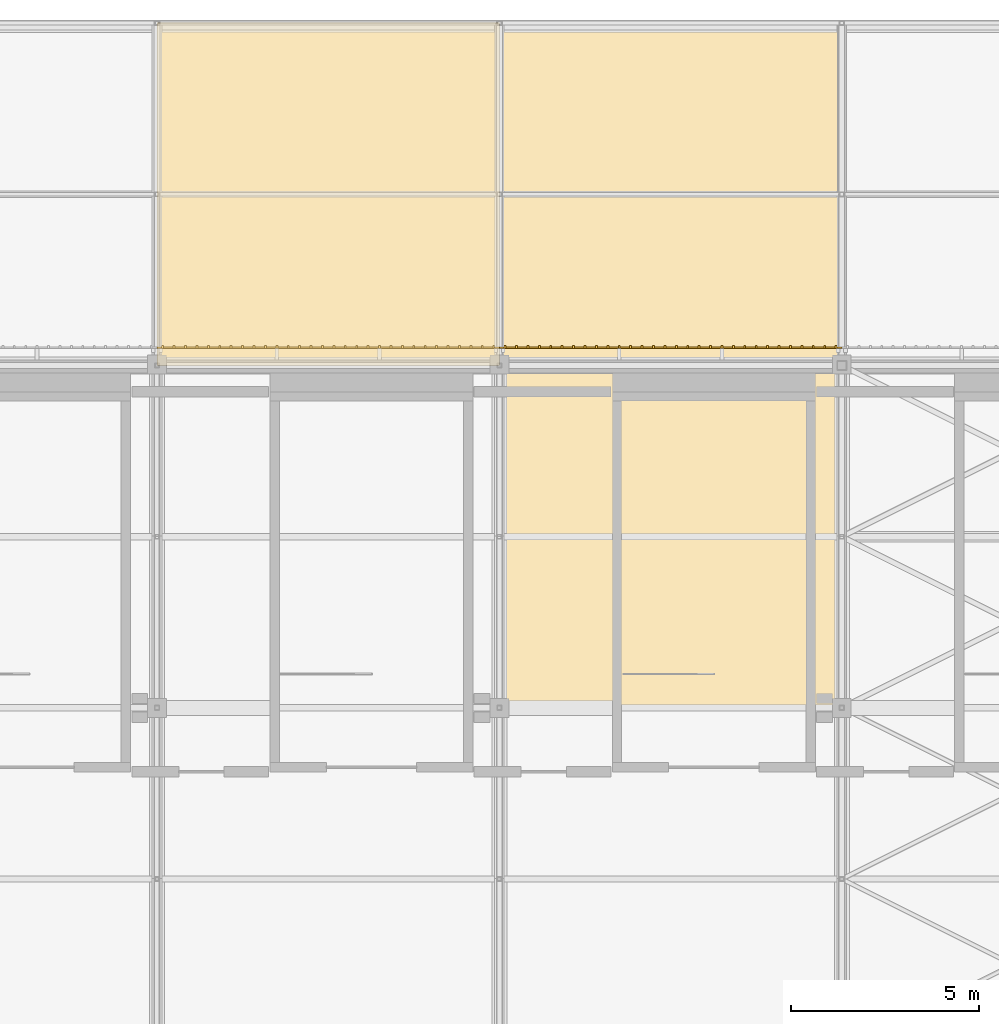
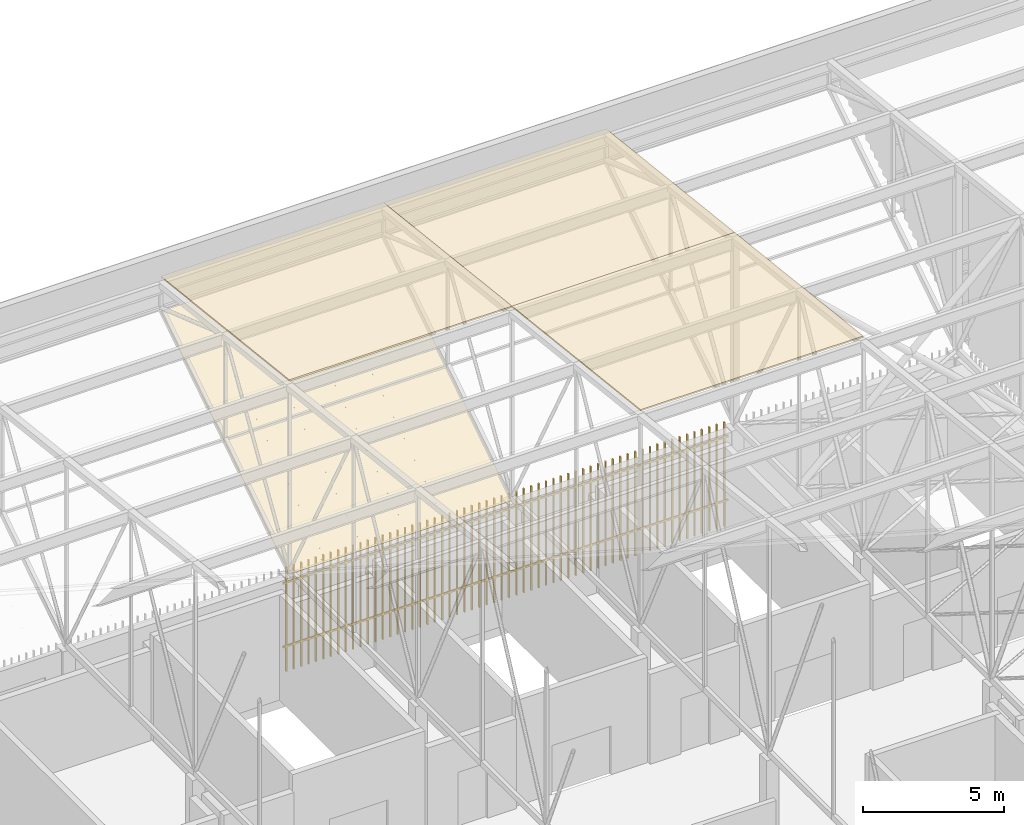
# One storey, part 497 of 500: 4 coverings, 2 shading devices.
"""IFC4 building model written with IfcOpenShell, lengths in metres."""

from ifc_helpers import new_model, si_unit, direction, frame, origin, origin_2d, place, context, subcontext, project, spatial, polyline, rectangle, outline, extrude, material, layer, layer_set, type_object, element, save


model = new_model("IFC4")

# Units and contexts
model_context = context("Model", 3, precision=1e-05, world=origin(), true_north=direction((0.0, 1.0)))
body_context = subcontext(model_context, "Body", "Model", "MODEL_VIEW")
ifc_project = project(units=[si_unit("LENGTHUNIT", "METRE"), si_unit("AREAUNIT", "SQUARE_METRE"), si_unit("VOLUMEUNIT", "CUBIC_METRE"), si_unit("PLANEANGLEUNIT", "RADIAN"), si_unit("MASSUNIT", "GRAM", prefix="KILO")], contexts=[model_context])

# Site, building, storey
site_placement = place(None, origin())
site = spatial("IfcSite", under=ifc_project, at=site_placement, CompositionType="ELEMENT")
building_placement = place(site_placement, origin())
building = spatial("IfcBuilding", under=site, at=building_placement, Name="Shirokan Park Arena", CompositionType="ELEMENT")
storey_placement = place(building_placement, frame((0.0, 0.0, 29.1201171875)))
storey = spatial("IfcBuildingStorey", under=building, at=storey_placement, Name="L06", CompositionType="ELEMENT", Elevation=29.1201171875)

# Coverings
ifc_material_1 = material(Name="Bituminous roofing membrane")
ifc_layer_1 = layer(ifc_material_1, 0.010009765625, Name="Bituminous roofing membrane")
ifc_material_2 = material(Name="Mineral wool insulation")
ifc_layer_2 = layer(ifc_material_2, 0.050048828125, Name="Mineral wool insulation")
ifc_layer_set_1 = layer_set([ifc_layer_1, ifc_layer_2], Name="Bituminous roofing membrane + Mineral wool insulation")
covering_type_1 = type_object("IfcCoveringType", Name="Roofing membrane 60", PredefinedType="ROOFING", material=ifc_layer_set_1)
covering_1_placement = place(storey_placement, frame((118.300048828125, 109.199951171875, 12.9306640625), z_axis=(0.0, 0.113549598152, 0.993532328996), x_axis=(1.0, 0.0, 0.0)))
element("IfcCovering", 1, at=covering_1_placement, inside=storey, type_object=covering_type_1, Name="Roofing", PredefinedType="ROOFING", context=body_context, shape_type="SweptSolid", body=[
    extrude(outline(polyline([(0.0, 0.0), (9.099853515625, 0.0), (9.099853515625, 9.15933723611117), (0.0, 9.15933723611117), (0.0, 0.0)])), origin(), (0.0, 0.0, -1.0), 0.06005859375),
])
covering_2_placement = place(storey_placement, frame((127.39990234375, 100.10009765625, 13.970703125), z_axis=(0.0, 0.113552605302, 0.993531985308), x_axis=(1.0, 0.0, 0.0)))
element("IfcCovering", 2, at=covering_2_placement, inside=storey, type_object=covering_type_1, Name="Roofing", PredefinedType="ROOFING", context=body_context, shape_type="SweptSolid", body=[
    extrude(outline(polyline([(0.0, 0.0), (9.10009765625, 0.0), (9.10009765625, 9.159094674549367), (0.0, 9.159094674549367), (0.0, 0.0)])), origin(), (0.0, 0.0, -1.0), 0.06005859375),
])
covering_3_placement = place(storey_placement, frame((127.39990234375, 109.199951171875, 12.9306640625), z_axis=(0.0, 0.113549598152, 0.993532328996), x_axis=(1.0, 0.0, 0.0)))
element("IfcCovering", 3, at=covering_3_placement, inside=storey, type_object=covering_type_1, Name="Roofing", PredefinedType="ROOFING", context=body_context, shape_type="SweptSolid", body=[
    extrude(outline(polyline([(0.0, 0.0), (9.10009765625, 0.0), (9.10009765625, 9.15933723611117), (0.0, 9.15933723611117), (0.0, 0.0)])), origin(), (0.0, 0.0, -1.0), 0.06005859375),
])
ifc_material_3 = material(Name="Timber soffit boards (cedar)", Category="wood")
ifc_layer_3 = layer(ifc_material_3, 0.030029296875)
ifc_layer_set_2 = layer_set([ifc_layer_3], Name="Timber soffit boards (cedar) 30 mm")
covering_type_2 = type_object("IfcCoveringType", Name="Timber boarded soffit panel", PredefinedType="CLADDING", material=ifc_layer_set_2)
covering_4_placement = place(storey_placement, origin())
element("IfcCovering", 4, at=covering_4_placement, inside=storey, type_object=covering_type_2, Name="Eave soffit north bay 14", PredefinedType="CLADDING", context=body_context, shape_type="SweptSolid", body=[
    extrude(outline(polyline([(0.0, 0.0), (0.14269332184793307, 0.0), (0.14269332184793307, -9.100000000000009), (0.0, -9.100000000000009), (0.0, 0.0)])), frame((127.39990234375, 109.320068359375, 4.60302734375), z_axis=(0.0, -0.541090493936, 0.840964373426), x_axis=(0.0, -0.840964373426, -0.541090493936)), (0.0, 0.0, -1.0), 0.030029296875),
    extrude(outline(polyline([(0.0, 0.0), (0.1426933218479331, 0.0), (0.1426933218479331, -9.10000000000001), (0.0, -9.10000000000001), (0.0, 0.0)])), frame((118.300048828125, 118.179931640625, 10.3037109375), z_axis=(0.0, -0.541090493936, 0.840964373426), x_axis=(0.0, 0.840964373426, 0.541090493936)), (0.0, 0.0, -1.0), 0.030029296875),
    extrude(outline(polyline([(0.0, 0.0), (0.12000000000000455, 0.0), (0.12000000000000455, -10.535473996759716), (0.0, -10.535473996759716), (0.0, 0.0)])), frame((127.39990234375, 109.320068359375, 4.60302734375), z_axis=(0.0, -0.541084340558, 0.84096833258), x_axis=(-1.0, 0.0, 0.0)), (0.0, 0.0, -1.0), 0.030029296875),
    extrude(outline(polyline([(0.0, 0.0), (0.12000000000000455, 0.0), (0.12000000000000455, -10.535473996759716), (0.0, -10.535473996759716), (0.0, 0.0)])), frame((118.300048828125, 118.179931640625, 10.3037109375), z_axis=(0.0, -0.541084340558, 0.84096833258), x_axis=(1.0, 0.0, 0.0)), (0.0, 0.0, -1.0), 0.030029296875),
    extrude(outline(polyline([(0.0, 0.0), (10.53547399675972, 0.0), (10.53547399675972, -0.183329999999998), (0.0, -0.183329999999998), (0.0, 0.0)])), frame((118.603271484375, 118.179931640625, 10.3037109375), z_axis=(0.0, -0.541084340558, 0.84096833258), x_axis=(0.0, -0.84096833258, -0.541084340558)), (0.0, 0.0, -1.0), 0.030029296875),
    extrude(outline(polyline([(0.0, 0.0), (10.535473996759718, 0.0), (10.535473996759718, -0.3033400000000057), (0.0, -0.3033400000000057), (0.0, 0.0)])), frame((118.90673828125, 118.179931640625, 10.3037109375), z_axis=(0.0, -0.541084340558, 0.84096833258), x_axis=(0.0, -0.84096833258, -0.541084340558)), (0.0, 0.0, -1.0), 0.030029296875),
    extrude(outline(polyline([(0.0, 0.0), (10.535473996759718, 0.0), (10.535473996759718, -0.30332999999998833), (0.0, -0.30332999999998833), (0.0, 0.0)])), frame((119.2099609375, 118.179931640625, 10.3037109375), z_axis=(0.0, -0.541084340558, 0.84096833258), x_axis=(0.0, -0.84096833258, -0.541084340558)), (0.0, 0.0, -1.0), 0.030029296875),
    extrude(outline(polyline([(0.0, 0.0), (10.535473996759718, 0.0), (10.535473996759718, -0.30333000000000254), (0.0, -0.30333000000000254), (0.0, 0.0)])), frame((119.513427734375, 118.179931640625, 10.3037109375), z_axis=(0.0, -0.541084340558, 0.84096833258), x_axis=(0.0, -0.84096833258, -0.541084340558)), (0.0, 0.0, -1.0), 0.030029296875),
    extrude(outline(polyline([(0.0, 0.0), (10.535473996759718, 0.0), (10.535473996759718, -0.3033400000000057), (0.0, -0.3033400000000057), (0.0, 0.0)])), frame((119.816650390625, 118.179931640625, 10.3037109375), z_axis=(0.0, -0.541084340558, 0.84096833258), x_axis=(0.0, -0.84096833258, -0.541084340558)), (0.0, 0.0, -1.0), 0.030029296875),
    extrude(outline(polyline([(0.0, 0.0), (10.535473996759718, 0.0), (10.535473996759718, -0.30333000000000254), (0.0, -0.30333000000000254), (0.0, 0.0)])), frame((120.1201171875, 118.179931640625, 10.3037109375), z_axis=(0.0, -0.541084340558, 0.84096833258), x_axis=(0.0, -0.84096833258, -0.541084340558)), (0.0, 0.0, -1.0), 0.030029296875),
    extrude(outline(polyline([(0.0, 0.0), (10.535473996759718, 0.0), (10.535473996759718, -0.30333000000000254), (0.0, -0.30333000000000254), (0.0, 0.0)])), frame((120.42333984375, 118.179931640625, 10.3037109375), z_axis=(0.0, -0.541084340558, 0.84096833258), x_axis=(0.0, -0.84096833258, -0.541084340558)), (0.0, 0.0, -1.0), 0.030029296875),
    extrude(outline(polyline([(0.0, 0.0), (10.53547399675972, 0.0), (10.53547399675972, -0.3033399999999915), (0.0, -0.3033399999999915), (0.0, 0.0)])), frame((120.7265625, 118.179931640625, 10.3037109375), z_axis=(0.0, -0.541084340558, 0.84096833258), x_axis=(0.0, -0.84096833258, -0.541084340558)), (0.0, 0.0, -1.0), 0.030029296875),
    extrude(outline(polyline([(0.0, 0.0), (10.535473996759718, 0.0), (10.535473996759718, -0.30333000000000254), (0.0, -0.30333000000000254), (0.0, 0.0)])), frame((121.030029296875, 118.179931640625, 10.3037109375), z_axis=(0.0, -0.541084340558, 0.84096833258), x_axis=(0.0, -0.84096833258, -0.541084340558)), (0.0, 0.0, -1.0), 0.030029296875),
    extrude(outline(polyline([(0.0, 0.0), (10.535473996759718, 0.0), (10.535473996759718, -0.30333000000000254), (0.0, -0.30333000000000254), (0.0, 0.0)])), frame((121.333251953125, 118.179931640625, 10.3037109375), z_axis=(0.0, -0.541084340558, 0.84096833258), x_axis=(0.0, -0.84096833258, -0.541084340558)), (0.0, 0.0, -1.0), 0.030029296875),
    extrude(outline(polyline([(0.0, 0.0), (10.53547399675972, 0.0), (10.53547399675972, -0.30333999999999156), (0.0, -0.30333999999999156), (0.0, 0.0)])), frame((121.63671875, 118.179931640625, 10.3037109375), z_axis=(0.0, -0.541084340558, 0.84096833258), x_axis=(0.0, -0.84096833258, -0.541084340558)), (0.0, 0.0, -1.0), 0.030029296875),
    extrude(outline(polyline([(0.0, 0.0), (10.535473996759718, 0.0), (10.535473996759718, -0.30333000000000254), (0.0, -0.30333000000000254), (0.0, 0.0)])), frame((121.93994140625, 118.179931640625, 10.3037109375), z_axis=(0.0, -0.541084340558, 0.84096833258), x_axis=(0.0, -0.84096833258, -0.541084340558)), (0.0, 0.0, -1.0), 0.030029296875),
    extrude(outline(polyline([(0.0, 0.0), (10.535473996759718, 0.0), (10.535473996759718, -0.30333000000000254), (0.0, -0.30333000000000254), (0.0, 0.0)])), frame((122.243408203125, 118.179931640625, 10.3037109375), z_axis=(0.0, -0.541084340558, 0.84096833258), x_axis=(0.0, -0.84096833258, -0.541084340558)), (0.0, 0.0, -1.0), 0.030029296875),
    extrude(outline(polyline([(0.0, 0.0), (10.535473996759718, 0.0), (10.535473996759718, -0.3033400000000057), (0.0, -0.3033400000000057), (0.0, 0.0)])), frame((122.546630859375, 118.179931640625, 10.3037109375), z_axis=(0.0, -0.541084340558, 0.84096833258), x_axis=(0.0, -0.84096833258, -0.541084340558)), (0.0, 0.0, -1.0), 0.030029296875),
    extrude(outline(polyline([(0.0, 0.0), (10.535473996759718, 0.0), (10.535473996759718, -0.30332999999998833), (0.0, -0.30332999999998833), (0.0, 0.0)])), frame((122.85009765625, 118.179931640625, 10.3037109375), z_axis=(0.0, -0.541084340558, 0.84096833258), x_axis=(0.0, -0.84096833258, -0.541084340558)), (0.0, 0.0, -1.0), 0.030029296875),
    extrude(outline(polyline([(0.0, 0.0), (10.535473996759718, 0.0), (10.535473996759718, -0.30333000000000254), (0.0, -0.30333000000000254), (0.0, 0.0)])), frame((123.1533203125, 118.179931640625, 10.3037109375), z_axis=(0.0, -0.541084340558, 0.84096833258), x_axis=(0.0, -0.84096833258, -0.541084340558)), (0.0, 0.0, -1.0), 0.030029296875),
    extrude(outline(polyline([(0.0, 0.0), (10.535473996759718, 0.0), (10.535473996759718, -0.3033400000000057), (0.0, -0.3033400000000057), (0.0, 0.0)])), frame((123.456787109375, 118.179931640625, 10.3037109375), z_axis=(0.0, -0.541084340558, 0.84096833258), x_axis=(0.0, -0.84096833258, -0.541084340558)), (0.0, 0.0, -1.0), 0.030029296875),
    extrude(outline(polyline([(0.0, 0.0), (10.535473996759718, 0.0), (10.535473996759718, -0.30333000000000254), (0.0, -0.30333000000000254), (0.0, 0.0)])), frame((123.760009765625, 118.179931640625, 10.3037109375), z_axis=(0.0, -0.541084340558, 0.84096833258), x_axis=(0.0, -0.84096833258, -0.541084340558)), (0.0, 0.0, -1.0), 0.030029296875),
    extrude(outline(polyline([(0.0, 0.0), (10.535473996759718, 0.0), (10.535473996759718, -0.30332999999998833), (0.0, -0.30332999999998833), (0.0, 0.0)])), frame((124.063232421875, 118.179931640625, 10.3037109375), z_axis=(0.0, -0.541084340558, 0.84096833258), x_axis=(0.0, -0.84096833258, -0.541084340558)), (0.0, 0.0, -1.0), 0.030029296875),
    extrude(outline(polyline([(0.0, 0.0), (10.535473996759718, 0.0), (10.535473996759718, -0.3033400000000057), (0.0, -0.3033400000000057), (0.0, 0.0)])), frame((124.36669921875, 118.179931640625, 10.3037109375), z_axis=(0.0, -0.541084340558, 0.84096833258), x_axis=(0.0, -0.84096833258, -0.541084340558)), (0.0, 0.0, -1.0), 0.030029296875),
    extrude(outline(polyline([(0.0, 0.0), (10.535473996759718, 0.0), (10.535473996759718, -0.30333000000000254), (0.0, -0.30333000000000254), (0.0, 0.0)])), frame((124.669921875, 118.179931640625, 10.3037109375), z_axis=(0.0, -0.541084340558, 0.84096833258), x_axis=(0.0, -0.84096833258, -0.541084340558)), (0.0, 0.0, -1.0), 0.030029296875),
    extrude(outline(polyline([(0.0, 0.0), (10.535473996759718, 0.0), (10.535473996759718, -0.30333000000000254), (0.0, -0.30333000000000254), (0.0, 0.0)])), frame((124.973388671875, 118.179931640625, 10.3037109375), z_axis=(0.0, -0.541084340558, 0.84096833258), x_axis=(0.0, -0.84096833258, -0.541084340558)), (0.0, 0.0, -1.0), 0.030029296875),
    extrude(outline(polyline([(0.0, 0.0), (10.53547399675972, 0.0), (10.53547399675972, -0.30333999999999156), (0.0, -0.30333999999999156), (0.0, 0.0)])), frame((125.276611328125, 118.179931640625, 10.3037109375), z_axis=(0.0, -0.541084340558, 0.84096833258), x_axis=(0.0, -0.84096833258, -0.541084340558)), (0.0, 0.0, -1.0), 0.030029296875),
    extrude(outline(polyline([(0.0, 0.0), (10.535473996759718, 0.0), (10.535473996759718, -0.30333000000000254), (0.0, -0.30333000000000254), (0.0, 0.0)])), frame((125.580078125, 118.179931640625, 10.3037109375), z_axis=(0.0, -0.541084340558, 0.84096833258), x_axis=(0.0, -0.84096833258, -0.541084340558)), (0.0, 0.0, -1.0), 0.030029296875),
    extrude(outline(polyline([(0.0, 0.0), (10.535473996759718, 0.0), (10.535473996759718, -0.30333000000000254), (0.0, -0.30333000000000254), (0.0, 0.0)])), frame((125.88330078125, 118.179931640625, 10.3037109375), z_axis=(0.0, -0.541084340558, 0.84096833258), x_axis=(0.0, -0.84096833258, -0.541084340558)), (0.0, 0.0, -1.0), 0.030029296875),
    extrude(outline(polyline([(0.0, 0.0), (10.535473996759718, 0.0), (10.535473996759718, -0.3033400000000057), (0.0, -0.3033400000000057), (0.0, 0.0)])), frame((126.186767578125, 118.179931640625, 10.3037109375), z_axis=(0.0, -0.541084340558, 0.84096833258), x_axis=(0.0, -0.84096833258, -0.541084340558)), (0.0, 0.0, -1.0), 0.030029296875),
    extrude(outline(polyline([(0.0, 0.0), (10.535473996759718, 0.0), (10.535473996759718, -0.30332999999998833), (0.0, -0.30332999999998833), (0.0, 0.0)])), frame((126.489990234375, 118.179931640625, 10.3037109375), z_axis=(0.0, -0.541084340558, 0.84096833258), x_axis=(0.0, -0.84096833258, -0.541084340558)), (0.0, 0.0, -1.0), 0.030029296875),
    extrude(outline(polyline([(0.0, 0.0), (10.535473996759718, 0.0), (10.535473996759718, -0.30333000000000254), (0.0, -0.30333000000000254), (0.0, 0.0)])), frame((126.793212890625, 118.179931640625, 10.3037109375), z_axis=(0.0, -0.541084340558, 0.84096833258), x_axis=(0.0, -0.84096833258, -0.541084340558)), (0.0, 0.0, -1.0), 0.030029296875),
    extrude(outline(polyline([(0.0, 0.0), (10.535473996759718, 0.0), (10.535473996759718, -0.3033400000000057), (0.0, -0.3033400000000057), (0.0, 0.0)])), frame((127.0966796875, 118.179931640625, 10.3037109375), z_axis=(0.0, -0.541084340558, 0.84096833258), x_axis=(0.0, -0.84096833258, -0.541084340558)), (0.0, 0.0, -1.0), 0.030029296875),
    extrude(outline(polyline([(0.0, 0.0), (10.53547399675972, 0.0), (10.53547399675972, -0.183329999999998), (0.0, -0.183329999999998), (0.0, 0.0)])), frame((127.280029296875, 118.179931640625, 10.3037109375), z_axis=(0.0, -0.541084340558, 0.84096833258), x_axis=(0.0, -0.84096833258, -0.541084340558)), (0.0, 0.0, -1.0), 0.030029296875),
])

# Shading devices
ifc_material_4 = material(Name="Timber louvre veil (cedar)", Category="wood")
shading_device_type = type_object("IfcShadingDeviceType", Name="Timber louvre veil panel", PredefinedType="JALOUSIE", material=ifc_material_4)
shading_device_1_placement = place(storey_placement, origin())
element("IfcShadingDevice", 5, at=shading_device_1_placement, inside=storey, type_object=shading_device_type, Name="Timber louvre veil north bay 2 L06", PredefinedType="JALOUSIE", context=body_context, shape_type="SweptSolid", body=[
    extrude(rectangle(XDim=0.050048828125, YDim=0.080078125, at=origin_2d()), frame((136.348388671875, 109.68505859375, 0.0), z_axis=(0.0, 0.0, 1.0), x_axis=(-1.0, 0.0, 0.0)), (0.0, 0.0, 1.0), 4.5),
    extrude(rectangle(XDim=0.050048828125, YDim=0.080078125, at=origin_2d()), frame((136.044921875, 109.68505859375, 0.0), z_axis=(0.0, 0.0, 1.0), x_axis=(-1.0, 0.0, 0.0)), (0.0, 0.0, 1.0), 4.5),
    extrude(rectangle(XDim=0.050048828125, YDim=0.080078125, at=origin_2d()), frame((135.74169921875, 109.68505859375, 0.0), z_axis=(0.0, 0.0, 1.0), x_axis=(-1.0, 0.0, 0.0)), (0.0, 0.0, 1.0), 4.5),
    extrude(rectangle(XDim=0.050048828125, YDim=0.080078125, at=origin_2d()), frame((135.438232421875, 109.68505859375, 0.0), z_axis=(0.0, 0.0, 1.0), x_axis=(-1.0, 0.0, 0.0)), (0.0, 0.0, 1.0), 4.5),
    extrude(rectangle(XDim=0.050048828125, YDim=0.080078125, at=origin_2d()), frame((135.135009765625, 109.68505859375, 0.0), z_axis=(0.0, 0.0, 1.0), x_axis=(-1.0, 0.0, 0.0)), (0.0, 0.0, 1.0), 4.5),
    extrude(rectangle(XDim=0.050048828125, YDim=0.080078125, at=origin_2d()), frame((134.831787109375, 109.68505859375, 0.0), z_axis=(0.0, 0.0, 1.0), x_axis=(-1.0, 0.0, 0.0)), (0.0, 0.0, 1.0), 4.5),
    extrude(rectangle(XDim=0.050048828125, YDim=0.080078125, at=origin_2d()), frame((134.5283203125, 109.68505859375, 0.0), z_axis=(0.0, 0.0, 1.0), x_axis=(-1.0, 0.0, 0.0)), (0.0, 0.0, 1.0), 4.5),
    extrude(rectangle(XDim=0.050048828125, YDim=0.080078125, at=origin_2d()), frame((134.22509765625, 109.68505859375, 0.0), z_axis=(0.0, 0.0, 1.0), x_axis=(-1.0, 0.0, 0.0)), (0.0, 0.0, 1.0), 4.5),
    extrude(rectangle(XDim=0.050048828125, YDim=0.080078125, at=origin_2d()), frame((133.921630859375, 109.68505859375, 0.0), z_axis=(0.0, 0.0, 1.0), x_axis=(-1.0, 0.0, 0.0)), (0.0, 0.0, 1.0), 4.5),
    extrude(rectangle(XDim=0.050048828125, YDim=0.080078125, at=origin_2d()), frame((133.618408203125, 109.68505859375, 0.0), z_axis=(0.0, 0.0, 1.0), x_axis=(-1.0, 0.0, 0.0)), (0.0, 0.0, 1.0), 4.5),
    extrude(rectangle(XDim=0.050048828125, YDim=0.080078125, at=origin_2d()), frame((133.31494140625, 109.68505859375, 0.0), z_axis=(0.0, 0.0, 1.0), x_axis=(-1.0, 0.0, 0.0)), (0.0, 0.0, 1.0), 4.5),
    extrude(rectangle(XDim=0.050048828125, YDim=0.080078125, at=origin_2d()), frame((133.01171875, 109.68505859375, 0.0), z_axis=(0.0, 0.0, 1.0), x_axis=(-1.0, 0.0, 0.0)), (0.0, 0.0, 1.0), 4.5),
    extrude(rectangle(XDim=0.050048828125, YDim=0.080078125, at=origin_2d()), frame((132.708251953125, 109.68505859375, 0.0), z_axis=(0.0, 0.0, 1.0), x_axis=(-1.0, 0.0, 0.0)), (0.0, 0.0, 1.0), 4.5),
    extrude(rectangle(XDim=0.050048828125, YDim=0.080078125, at=origin_2d()), frame((132.405029296875, 109.68505859375, 0.0), z_axis=(0.0, 0.0, 1.0), x_axis=(-1.0, 0.0, 0.0)), (0.0, 0.0, 1.0), 4.5),
    extrude(rectangle(XDim=0.050048828125, YDim=0.080078125, at=origin_2d()), frame((132.1015625, 109.68505859375, 0.0), z_axis=(0.0, 0.0, 1.0), x_axis=(-1.0, 0.0, 0.0)), (0.0, 0.0, 1.0), 4.5),
    extrude(rectangle(XDim=0.050048828125, YDim=0.080078125, at=origin_2d()), frame((131.79833984375, 109.68505859375, 0.0), z_axis=(0.0, 0.0, 1.0), x_axis=(-1.0, 0.0, 0.0)), (0.0, 0.0, 1.0), 4.5),
    extrude(rectangle(XDim=0.050048828125, YDim=0.080078125, at=origin_2d()), frame((131.4951171875, 109.68505859375, 0.0), z_axis=(0.0, 0.0, 1.0), x_axis=(-1.0, 0.0, 0.0)), (0.0, 0.0, 1.0), 4.5),
    extrude(rectangle(XDim=0.050048828125, YDim=0.080078125, at=origin_2d()), frame((131.191650390625, 109.68505859375, 0.0), z_axis=(0.0, 0.0, 1.0), x_axis=(-1.0, 0.0, 0.0)), (0.0, 0.0, 1.0), 4.5),
    extrude(rectangle(XDim=0.050048828125, YDim=0.080078125, at=origin_2d()), frame((130.888427734375, 109.68505859375, 0.0), z_axis=(0.0, 0.0, 1.0), x_axis=(-1.0, 0.0, 0.0)), (0.0, 0.0, 1.0), 4.5),
    extrude(rectangle(XDim=0.050048828125, YDim=0.080078125, at=origin_2d()), frame((130.5849609375, 109.68505859375, 0.0), z_axis=(0.0, 0.0, 1.0), x_axis=(-1.0, 0.0, 0.0)), (0.0, 0.0, 1.0), 4.5),
    extrude(rectangle(XDim=0.050048828125, YDim=0.080078125, at=origin_2d()), frame((130.28173828125, 109.68505859375, 0.0), z_axis=(0.0, 0.0, 1.0), x_axis=(-1.0, 0.0, 0.0)), (0.0, 0.0, 1.0), 4.5),
    extrude(rectangle(XDim=0.050048828125, YDim=0.080078125, at=origin_2d()), frame((129.978271484375, 109.68505859375, 0.0), z_axis=(0.0, 0.0, 1.0), x_axis=(-1.0, 0.0, 0.0)), (0.0, 0.0, 1.0), 4.5),
    extrude(rectangle(XDim=0.050048828125, YDim=0.080078125, at=origin_2d()), frame((129.675048828125, 109.68505859375, 0.0), z_axis=(0.0, 0.0, 1.0), x_axis=(-1.0, 0.0, 0.0)), (0.0, 0.0, 1.0), 4.5),
    extrude(rectangle(XDim=0.050048828125, YDim=0.080078125, at=origin_2d()), frame((129.37158203125, 109.68505859375, 0.0), z_axis=(0.0, 0.0, 1.0), x_axis=(-1.0, 0.0, 0.0)), (0.0, 0.0, 1.0), 4.5),
    extrude(rectangle(XDim=0.050048828125, YDim=0.080078125, at=origin_2d()), frame((129.068359375, 109.68505859375, 0.0), z_axis=(0.0, 0.0, 1.0), x_axis=(-1.0, 0.0, 0.0)), (0.0, 0.0, 1.0), 4.5),
    extrude(rectangle(XDim=0.050048828125, YDim=0.080078125, at=origin_2d()), frame((128.764892578125, 109.68505859375, 0.0), z_axis=(0.0, 0.0, 1.0), x_axis=(-1.0, 0.0, 0.0)), (0.0, 0.0, 1.0), 4.5),
    extrude(rectangle(XDim=0.050048828125, YDim=0.080078125, at=origin_2d()), frame((128.461669921875, 109.68505859375, 0.0), z_axis=(0.0, 0.0, 1.0), x_axis=(-1.0, 0.0, 0.0)), (0.0, 0.0, 1.0), 4.5),
    extrude(rectangle(XDim=0.050048828125, YDim=0.080078125, at=origin_2d()), frame((128.158447265625, 109.68505859375, 0.0), z_axis=(0.0, 0.0, 1.0), x_axis=(-1.0, 0.0, 0.0)), (0.0, 0.0, 1.0), 4.5),
    extrude(rectangle(XDim=0.050048828125, YDim=0.080078125, at=origin_2d()), frame((127.85498046875, 109.68505859375, 0.0), z_axis=(0.0, 0.0, 1.0), x_axis=(-1.0, 0.0, 0.0)), (0.0, 0.0, 1.0), 4.5),
    extrude(rectangle(XDim=0.050048828125, YDim=0.080078125, at=origin_2d()), frame((127.5517578125, 109.68505859375, 0.0), z_axis=(0.0, 0.0, 1.0), x_axis=(-1.0, 0.0, 0.0)), (0.0, 0.0, 1.0), 4.5),
    extrude(rectangle(XDim=9.10009765625, YDim=0.050048828125, at=origin_2d()), frame((131.949951171875, 109.669921875, 1.059814453125), z_axis=(0.0, 0.0, 1.0), x_axis=(-1.0, 0.0, 0.0)), (0.0, 0.0, 1.0), 0.080078125),
    extrude(rectangle(XDim=9.10009765625, YDim=0.050048828125, at=origin_2d()), frame((131.949951171875, 109.669921875, 3.809814453125), z_axis=(0.0, 0.0, 1.0), x_axis=(-1.0, 0.0, 0.0)), (0.0, 0.0, 1.0), 0.080078125),
])
shading_device_2_placement = place(storey_placement, origin())
element("IfcShadingDevice", 6, at=shading_device_2_placement, inside=storey, type_object=shading_device_type, Name="Timber louvre veil north bay 3 L06", PredefinedType="JALOUSIE", context=body_context, shape_type="SweptSolid", body=[
    extrude(rectangle(XDim=0.050048828125, YDim=0.080078125, at=origin_2d()), frame((127.248291015625, 109.68505859375, 0.0), z_axis=(0.0, 0.0, 1.0), x_axis=(-1.0, 0.0, 0.0)), (0.0, 0.0, 1.0), 4.5),
    extrude(rectangle(XDim=0.050048828125, YDim=0.080078125, at=origin_2d()), frame((126.945068359375, 109.68505859375, 0.0), z_axis=(0.0, 0.0, 1.0), x_axis=(-1.0, 0.0, 0.0)), (0.0, 0.0, 1.0), 4.5),
    extrude(rectangle(XDim=0.050048828125, YDim=0.080078125, at=origin_2d()), frame((126.6416015625, 109.68505859375, 0.0), z_axis=(0.0, 0.0, 1.0), x_axis=(-1.0, 0.0, 0.0)), (0.0, 0.0, 1.0), 4.5),
    extrude(rectangle(XDim=0.050048828125, YDim=0.080078125, at=origin_2d()), frame((126.33837890625, 109.68505859375, 0.0), z_axis=(0.0, 0.0, 1.0), x_axis=(-1.0, 0.0, 0.0)), (0.0, 0.0, 1.0), 4.5),
    extrude(rectangle(XDim=0.050048828125, YDim=0.080078125, at=origin_2d()), frame((126.034912109375, 109.68505859375, 0.0), z_axis=(0.0, 0.0, 1.0), x_axis=(-1.0, 0.0, 0.0)), (0.0, 0.0, 1.0), 4.5),
    extrude(rectangle(XDim=0.050048828125, YDim=0.080078125, at=origin_2d()), frame((125.731689453125, 109.68505859375, 0.0), z_axis=(0.0, 0.0, 1.0), x_axis=(-1.0, 0.0, 0.0)), (0.0, 0.0, 1.0), 4.5),
    extrude(rectangle(XDim=0.050048828125, YDim=0.080078125, at=origin_2d()), frame((125.42822265625, 109.68505859375, 0.0), z_axis=(0.0, 0.0, 1.0), x_axis=(-1.0, 0.0, 0.0)), (0.0, 0.0, 1.0), 4.5),
    extrude(rectangle(XDim=0.050048828125, YDim=0.080078125, at=origin_2d()), frame((125.125, 109.68505859375, 0.0), z_axis=(0.0, 0.0, 1.0), x_axis=(-1.0, 0.0, 0.0)), (0.0, 0.0, 1.0), 4.5),
    extrude(rectangle(XDim=0.050048828125, YDim=0.080078125, at=origin_2d()), frame((124.82177734375, 109.68505859375, 0.0), z_axis=(0.0, 0.0, 1.0), x_axis=(-1.0, 0.0, 0.0)), (0.0, 0.0, 1.0), 4.5),
    extrude(rectangle(XDim=0.050048828125, YDim=0.080078125, at=origin_2d()), frame((124.518310546875, 109.68505859375, 0.0), z_axis=(0.0, 0.0, 1.0), x_axis=(-1.0, 0.0, 0.0)), (0.0, 0.0, 1.0), 4.5),
    extrude(rectangle(XDim=0.050048828125, YDim=0.080078125, at=origin_2d()), frame((124.215087890625, 109.68505859375, 0.0), z_axis=(0.0, 0.0, 1.0), x_axis=(-1.0, 0.0, 0.0)), (0.0, 0.0, 1.0), 4.5),
    extrude(rectangle(XDim=0.050048828125, YDim=0.080078125, at=origin_2d()), frame((123.91162109375, 109.68505859375, 0.0), z_axis=(0.0, 0.0, 1.0), x_axis=(-1.0, 0.0, 0.0)), (0.0, 0.0, 1.0), 4.5),
    extrude(rectangle(XDim=0.050048828125, YDim=0.080078125, at=origin_2d()), frame((123.6083984375, 109.68505859375, 0.0), z_axis=(0.0, 0.0, 1.0), x_axis=(-1.0, 0.0, 0.0)), (0.0, 0.0, 1.0), 4.5),
    extrude(rectangle(XDim=0.050048828125, YDim=0.080078125, at=origin_2d()), frame((123.304931640625, 109.68505859375, 0.0), z_axis=(0.0, 0.0, 1.0), x_axis=(-1.0, 0.0, 0.0)), (0.0, 0.0, 1.0), 4.5),
    extrude(rectangle(XDim=0.050048828125, YDim=0.080078125, at=origin_2d()), frame((123.001708984375, 109.68505859375, 0.0), z_axis=(0.0, 0.0, 1.0), x_axis=(-1.0, 0.0, 0.0)), (0.0, 0.0, 1.0), 4.5),
    extrude(rectangle(XDim=0.050048828125, YDim=0.080078125, at=origin_2d()), frame((122.6982421875, 109.68505859375, 0.0), z_axis=(0.0, 0.0, 1.0), x_axis=(-1.0, 0.0, 0.0)), (0.0, 0.0, 1.0), 4.5),
    extrude(rectangle(XDim=0.050048828125, YDim=0.080078125, at=origin_2d()), frame((122.39501953125, 109.68505859375, 0.0), z_axis=(0.0, 0.0, 1.0), x_axis=(-1.0, 0.0, 0.0)), (0.0, 0.0, 1.0), 4.5),
    extrude(rectangle(XDim=0.050048828125, YDim=0.080078125, at=origin_2d()), frame((122.091552734375, 109.68505859375, 0.0), z_axis=(0.0, 0.0, 1.0), x_axis=(-1.0, 0.0, 0.0)), (0.0, 0.0, 1.0), 4.5),
    extrude(rectangle(XDim=0.050048828125, YDim=0.080078125, at=origin_2d()), frame((121.788330078125, 109.68505859375, 0.0), z_axis=(0.0, 0.0, 1.0), x_axis=(-1.0, 0.0, 0.0)), (0.0, 0.0, 1.0), 4.5),
    extrude(rectangle(XDim=0.050048828125, YDim=0.080078125, at=origin_2d()), frame((121.485107421875, 109.68505859375, 0.0), z_axis=(0.0, 0.0, 1.0), x_axis=(-1.0, 0.0, 0.0)), (0.0, 0.0, 1.0), 4.5),
    extrude(rectangle(XDim=0.050048828125, YDim=0.080078125, at=origin_2d()), frame((121.181640625, 109.68505859375, 0.0), z_axis=(0.0, 0.0, 1.0), x_axis=(-1.0, 0.0, 0.0)), (0.0, 0.0, 1.0), 4.5),
    extrude(rectangle(XDim=0.050048828125, YDim=0.080078125, at=origin_2d()), frame((120.87841796875, 109.68505859375, 0.0), z_axis=(0.0, 0.0, 1.0), x_axis=(-1.0, 0.0, 0.0)), (0.0, 0.0, 1.0), 4.5),
    extrude(rectangle(XDim=0.050048828125, YDim=0.080078125, at=origin_2d()), frame((120.574951171875, 109.68505859375, 0.0), z_axis=(0.0, 0.0, 1.0), x_axis=(-1.0, 0.0, 0.0)), (0.0, 0.0, 1.0), 4.5),
    extrude(rectangle(XDim=0.050048828125, YDim=0.080078125, at=origin_2d()), frame((120.271728515625, 109.68505859375, 0.0), z_axis=(0.0, 0.0, 1.0), x_axis=(-1.0, 0.0, 0.0)), (0.0, 0.0, 1.0), 4.5),
    extrude(rectangle(XDim=0.050048828125, YDim=0.080078125, at=origin_2d()), frame((119.96826171875, 109.68505859375, 0.0), z_axis=(0.0, 0.0, 1.0), x_axis=(-1.0, 0.0, 0.0)), (0.0, 0.0, 1.0), 4.5),
    extrude(rectangle(XDim=0.050048828125, YDim=0.080078125, at=origin_2d()), frame((119.6650390625, 109.68505859375, 0.0), z_axis=(0.0, 0.0, 1.0), x_axis=(-1.0, 0.0, 0.0)), (0.0, 0.0, 1.0), 4.5),
    extrude(rectangle(XDim=0.050048828125, YDim=0.080078125, at=origin_2d()), frame((119.361572265625, 109.68505859375, 0.0), z_axis=(0.0, 0.0, 1.0), x_axis=(-1.0, 0.0, 0.0)), (0.0, 0.0, 1.0), 4.5),
    extrude(rectangle(XDim=0.050048828125, YDim=0.080078125, at=origin_2d()), frame((119.058349609375, 109.68505859375, 0.0), z_axis=(0.0, 0.0, 1.0), x_axis=(-1.0, 0.0, 0.0)), (0.0, 0.0, 1.0), 4.5),
    extrude(rectangle(XDim=0.050048828125, YDim=0.080078125, at=origin_2d()), frame((118.7548828125, 109.68505859375, 0.0), z_axis=(0.0, 0.0, 1.0), x_axis=(-1.0, 0.0, 0.0)), (0.0, 0.0, 1.0), 4.5),
    extrude(rectangle(XDim=0.050048828125, YDim=0.080078125, at=origin_2d()), frame((118.45166015625, 109.68505859375, 0.0), z_axis=(0.0, 0.0, 1.0), x_axis=(-1.0, 0.0, 0.0)), (0.0, 0.0, 1.0), 4.5),
    extrude(rectangle(XDim=9.10009765625, YDim=0.050048828125, at=origin_2d()), frame((122.85009765625, 109.669921875, 1.059814453125), z_axis=(0.0, 0.0, 1.0), x_axis=(-1.0, 0.0, 0.0)), (0.0, 0.0, 1.0), 0.080078125),
    extrude(rectangle(XDim=9.10009765625, YDim=0.050048828125, at=origin_2d()), frame((122.85009765625, 109.669921875, 3.809814453125), z_axis=(0.0, 0.0, 1.0), x_axis=(-1.0, 0.0, 0.0)), (0.0, 0.0, 1.0), 0.080078125),
])

save(model, "model.ifc")
